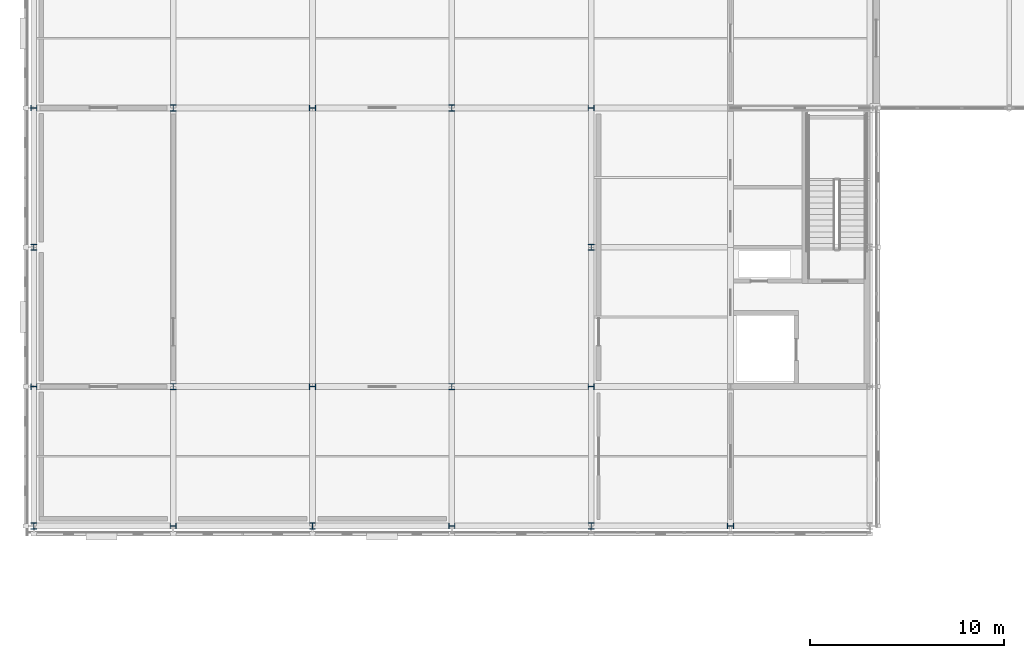
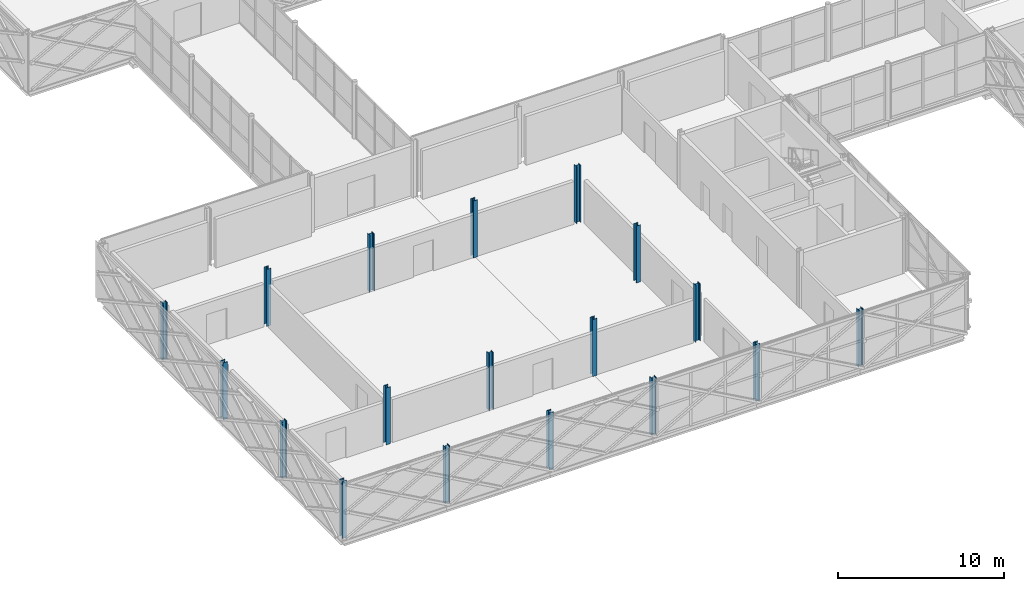
# One storey, part 1 of 146: 18 columns.
"""IFC4 building model written with IfcOpenShell, lengths in metres."""

from ifc_helpers import new_model, si_unit, direction, frame, origin, origin_2d, place, context, subcontext, project, spatial, i_section, extrude, material, material_profile, profile_set, type_object, element, save


model = new_model("IFC4")

# Units and contexts
model_context = context("Model", 3, precision=1e-05, world=origin(), true_north=direction((0.0, 1.0)))
body_context = subcontext(model_context, "Body", "Model", "MODEL_VIEW")
ifc_project = project(units=[si_unit("LENGTHUNIT", "METRE"), si_unit("AREAUNIT", "SQUARE_METRE"), si_unit("VOLUMEUNIT", "CUBIC_METRE"), si_unit("PLANEANGLEUNIT", "RADIAN"), si_unit("MASSUNIT", "GRAM", prefix="KILO")], contexts=[model_context])

# Site, building, storey
site_placement = place(None, origin())
site = spatial("IfcSite", under=ifc_project, at=site_placement, CompositionType="ELEMENT")
building_placement = place(site_placement, origin())
building = spatial("IfcBuilding", under=site, at=building_placement, Name="Zlatovets Crest Museum", CompositionType="ELEMENT")
storey_placement = place(building_placement, frame((0.0, 0.0, 4.5)))
storey = spatial("IfcBuildingStorey", under=building, at=storey_placement, Name="L01", CompositionType="ELEMENT", Elevation=4.5)

# Columns
ifc_material = material(Name="Structural steel S355J2", Category="steel")
ifc_material_profile = material_profile(ifc_material, i_section(OverallWidth=0.300048828125, OverallDepth=0.320068359375, WebThickness=0.011474609375, FlangeThickness=0.0205078125, FilletRadius=0.027099609375, at=origin_2d()), Name="HEB 320")
ifc_profile_set = profile_set([ifc_material_profile], Name="Structural steel S355J2")
column_type = type_object("IfcColumnType", Name="Col_C-16", PredefinedType="COLUMN", material=ifc_profile_set)
for number, where, z_axis, x_axis, name in (
    (1, (0.0, 0.0, 0.0), (0.0, 0.0, 1.0), (1.0, 0.0, 0.0), "V3 L01 Column (0.0, 0.0)"),
    (2, (0.0, 7.199951171875, 0.0), (0.0, 0.0, 1.0), (0.0, 1.0, 0.0), "V3 L01 Column (0.0, 7.2)"),
    (3, (0.0, 14.39990234375, 0.0), (0.0, 0.0, 1.0), (1.0, 0.0, 0.0), "V3 L01 Column (0.0, 14.4)"),
    (4, (0.0, 21.60009765625, 0.0), (0.0, 0.0, 1.0), (0.0, 1.0, 0.0), "V3 L01 Column (0.0, 21.6)"),
    (5, (7.199951171875, 0.0, 0.0), (0.0, 0.0, 1.0), (0.0, 1.0, 0.0), "V3 L01 Column (7.2, 0.0)"),
    (6, (7.199951171875, 7.199951171875, 0.0), (0.0, 0.0, 1.0), (1.0, 0.0, 0.0), "V3 L01 Column (7.2, 7.2)"),
    (7, (7.199951171875, 21.60009765625, 0.0), (0.0, 0.0, 1.0), (1.0, 0.0, 0.0), "V3 L01 Column (7.2, 21.6)"),
    (8, (14.39990234375, 0.0, 0.0), (0.0, 0.0, 1.0), (1.0, 0.0, 0.0), "V3 L01 Column (14.4, 0.0)"),
    (9, (14.39990234375, 7.199951171875, 0.0), (0.0, 0.0, 1.0), (0.0, 1.0, 0.0), "V3 L01 Column (14.4, 7.2)"),
    (10, (14.39990234375, 21.60009765625, 0.0), (0.0, 0.0, 1.0), (0.0, 1.0, 0.0), "V3 L01 Column (14.4, 21.6)"),
    (11, (21.60009765625, 0.0, 0.0), (0.0, 0.0, 1.0), (0.0, 1.0, 0.0), "V3 L01 Column (21.6, 0.0)"),
    (12, (21.60009765625, 7.199951171875, 0.0), (0.0, 0.0, 1.0), (1.0, 0.0, 0.0), "V3 L01 Column (21.6, 7.2)"),
    (13, (21.60009765625, 21.60009765625, 0.0), (0.0, 0.0, 1.0), (1.0, 0.0, 0.0), "V3 L01 Column (21.6, 21.6)"),
    (14, (28.800048828125, 0.0, 0.0), (0.0, 0.0, 1.0), (1.0, 0.0, 0.0), "V3 L01 Column (28.8, 0.0)"),
    (15, (28.800048828125, 7.199951171875, 0.0), (0.0, 0.0, 1.0), (0.0, 1.0, 0.0), "V3 L01 Column (28.8, 7.2)"),
    (16, (28.800048828125, 14.39990234375, 0.0), (0.0, 0.0, 1.0), (1.0, 0.0, 0.0), "V3 L01 Column (28.8, 14.4)"),
    (17, (28.800048828125, 21.60009765625, 0.0), (0.0, 0.0, 1.0), (0.0, 1.0, 0.0), "V3 L01 Column (28.8, 21.6)"),
    (18, (36.0, 0.0, 0.0), (0.0, 0.0, 1.0), (0.0, 1.0, 0.0), "V3 L01 Column (36.0, 0.0)"),
):
    element("IfcColumn", number, at=place(storey_placement, frame(where, z_axis=z_axis, x_axis=x_axis)), inside=storey, type_object=column_type, Name=name, PredefinedType="COLUMN", context=body_context, shape_type="SweptSolid", body=[
        extrude(i_section(OverallWidth=0.300048828125, OverallDepth=0.320068359375, WebThickness=0.011474609375, FlangeThickness=0.0205078125, FilletRadius=0.027099609375, at=origin_2d()), origin(), (0.0, 0.0, 1.0), 4.199951171875),
    ])

save(model, "model.ifc")
